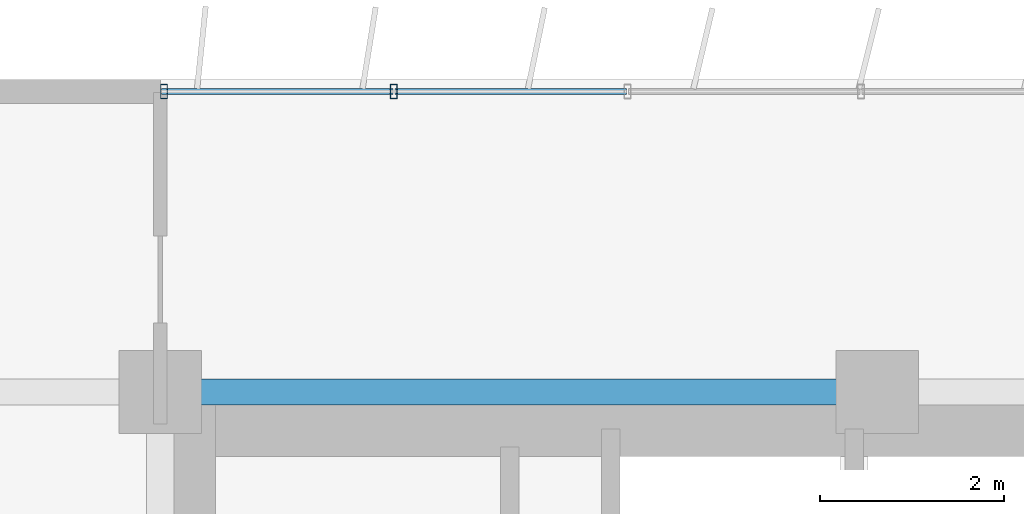
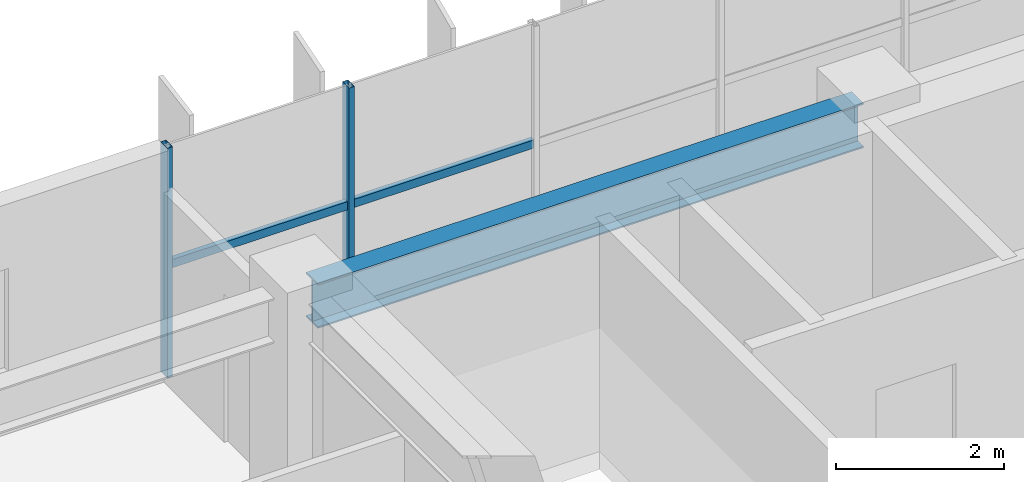
# One storey, part 5 of 24: 4 members, 1 beam, 1 element without a shape of its own.
"""IFC4 building model written with IfcOpenShell, lengths in metres."""

from ifc_helpers import new_model, si_unit, direction, frame, origin, origin_2d, place, context, subcontext, project, spatial, hollow_rectangle, i_section, extrude, source, transform, mapped, material, material_profile, profile_set, type_object, element, aggregate, save


model = new_model("IFC4")

# Units and contexts
model_context = context("Model", 3, precision=1e-05, world=origin(), true_north=direction((0.0, 1.0)))
body_context = subcontext(model_context, "Body", "Model", "MODEL_VIEW")
ifc_project = project(units=[si_unit("LENGTHUNIT", "METRE"), si_unit("AREAUNIT", "SQUARE_METRE"), si_unit("VOLUMEUNIT", "CUBIC_METRE"), si_unit("PLANEANGLEUNIT", "RADIAN"), si_unit("MASSUNIT", "GRAM", prefix="KILO")], contexts=[model_context])

# Site, building, storey
site_placement = place(None, origin())
site = spatial("IfcSite", under=ifc_project, at=site_placement, CompositionType="ELEMENT")
building_placement = place(site_placement, origin())
building = spatial("IfcBuilding", under=site, at=building_placement, Name="Trelvane Seafront Commons", CompositionType="ELEMENT")
storey_placement = place(building_placement, frame((0.0, 0.0, 30.699951171875)))
storey = spatial("IfcBuildingStorey", under=building, at=storey_placement, Name="L07", CompositionType="ELEMENT", Elevation=30.699951171875)

# Beam
ifc_material_1 = material(Name="Steel SM355 (S355)", Category="steel")
ifc_material_profile_1 = material_profile(ifc_material_1, i_section(OverallWidth=0.280029296875, OverallDepth=0.64990234375, WebThickness=0.012939453125, FlangeThickness=0.02197265625, at=origin_2d()), Name="H-650x280x13x22")
ifc_profile_set_1 = profile_set([ifc_material_profile_1], Name="Steel SM355 (S355)")
beam_type = type_object("IfcBeamType", Name="STR-BM-H650", PredefinedType="BEAM", material=ifc_profile_set_1)
shared_shape_1 = source(origin(), body_context, "Body", "SweptSolid", [
    extrude(i_section(OverallWidth=0.280029296875, OverallDepth=0.64990234375, WebThickness=0.012939453125, FlangeThickness=0.02197265625, at=origin_2d()), origin(), (0.0, 0.0, 1.0), 7.5),
])
beam_placement = place(storey_placement, frame((15.75, 45.10009765625, 3.01513671875), z_axis=(1.0, 0.0, 0.0), x_axis=(0.0, 1.0, 0.0)))
element("IfcBeam", 1, at=beam_placement, inside=storey, type_object=beam_type, Name="L07 Primary Girder G-30", PredefinedType="BEAM", context=body_context, shape_type="MappedRepresentation", body=[
    mapped(shared_shape_1, transform((0.0, 0.0, 0.0), x_axis=(1.0, 0.0, 0.0), y_axis=(0.0, 1.0, 0.0), z_axis=(0.0, 0.0, 1.0), scale=1.0)),
])

# Curtain wall, members
ifc_material_2 = material(Name="Anodised pale-silver aluminium", Category="aluminium")
curtain_wall_type = type_object("IfcCurtainWallType", Name="ARCH-CW2-LOWTOWER", PredefinedType="NOTDEFINED", material=ifc_material_2)
curtain_wall_placement = place(storey_placement, origin())
curtain_wall = element("IfcCurtainWall", 2, at=curtain_wall_placement, inside=storey, type_object=curtain_wall_type, Name="CW-L07-0031", PredefinedType="NOTDEFINED")
ifc_material_profile_2 = material_profile(ifc_material_2, hollow_rectangle(XDim=0.074951171875, YDim=0.159912109375, WallThickness=0.00390625, at=origin_2d()), Name="MULL-75x160x4")
ifc_profile_set_2 = profile_set([ifc_material_profile_2], Name="Anodised pale-silver aluminium")
member_type_1 = type_object("IfcMemberType", Name="ARCH-CW-MULL-160", PredefinedType="MULLION", material=ifc_profile_set_2)
shared_shape_2 = source(origin(), body_context, "Body", "SweptSolid", [
    extrude(hollow_rectangle(XDim=0.074951171875, YDim=0.159912109375, WallThickness=0.00390625, at=origin_2d()), origin(), (0.0, 0.0, 1.0), 3.340087890625),
])
member_1_placement = place(storey_placement, frame((15.639892578125, 48.3701171875, 0.0), z_axis=(0.0, 0.0, 1.0), x_axis=(1.0, 0.0, 0.0)))
member_1 = element("IfcMember", 3, at=member_1_placement, type_object=member_type_1, Name="CW-L07-0031-M00", PredefinedType="MULLION", context=body_context, shape_type="MappedRepresentation", body=[
    mapped(shared_shape_2, transform((0.0, 0.0, 0.0), x_axis=(1.0, 0.0, 0.0), y_axis=(0.0, 1.0, 0.0), z_axis=(0.0, 0.0, 1.0), scale=1.0)),
])
member_2_placement = place(storey_placement, frame((18.14111328125, 48.3701171875, 0.0), z_axis=(0.0, 0.0, 1.0), x_axis=(1.0, 0.0, 0.0)))
member_2 = element("IfcMember", 4, at=member_2_placement, type_object=member_type_1, Name="CW-L07-0031-M01", PredefinedType="MULLION", context=body_context, shape_type="MappedRepresentation", body=[
    mapped(shared_shape_2, transform((0.0, 0.0, 0.0), x_axis=(1.0, 0.0, 0.0), y_axis=(0.0, 1.0, 0.0), z_axis=(0.0, 0.0, 1.0), scale=1.0)),
])
ifc_material_profile_3 = material_profile(ifc_material_2, hollow_rectangle(XDim=0.070068359375, YDim=0.1201171875, WallThickness=0.00390625, at=origin_2d()), Name="TRAN-70x120x4")
ifc_profile_set_3 = profile_set([ifc_material_profile_3], Name="Anodised pale-silver aluminium")
member_type_2 = type_object("IfcMemberType", Name="ARCH-CW-TRAN-120", PredefinedType="USERDEFINED", material=ifc_profile_set_3)
shared_shape_3 = source(origin(), body_context, "Body", "SweptSolid", [
    extrude(hollow_rectangle(XDim=0.070068359375, YDim=0.1201171875, WallThickness=0.00390625, at=origin_2d()), origin(), (0.0, 0.0, 1.0), 2.51708984375),
])
member_3_placement = place(storey_placement, frame((15.612060546875, 48.3701171875, 1.60302734375), z_axis=(1.0, 0.0, 0.0), x_axis=(0.0, 1.0, 0.0)))
member_3 = element("IfcMember", 5, at=member_3_placement, type_object=member_type_2, Name="CW-L07-0031-T00", ObjectType="TRANSOM", PredefinedType="USERDEFINED", context=body_context, shape_type="MappedRepresentation", body=[
    mapped(shared_shape_3, transform((0.0, 0.0, 0.0), x_axis=(1.0, 0.0, 0.0), y_axis=(0.0, 1.0, 0.0), z_axis=(0.0, 0.0, 1.0), scale=1.0)),
])
member_4_placement = place(storey_placement, frame((18.1533203125, 48.3701171875, 1.60302734375), z_axis=(1.0, 0.0, 0.0), x_axis=(0.0, 1.0, 0.0)))
member_4 = element("IfcMember", 6, at=member_4_placement, type_object=member_type_2, Name="CW-L07-0031-T01", ObjectType="TRANSOM", PredefinedType="USERDEFINED", context=body_context, shape_type="MappedRepresentation", body=[
    mapped(shared_shape_3, transform((0.0, 0.0, 0.0), x_axis=(1.0, 0.0, 0.0), y_axis=(0.0, 1.0, 0.0), z_axis=(0.0, 0.0, 1.0), scale=1.0)),
])
aggregate(curtain_wall, [member_1, member_2, member_3, member_4])

save(model, "model.ifc")
